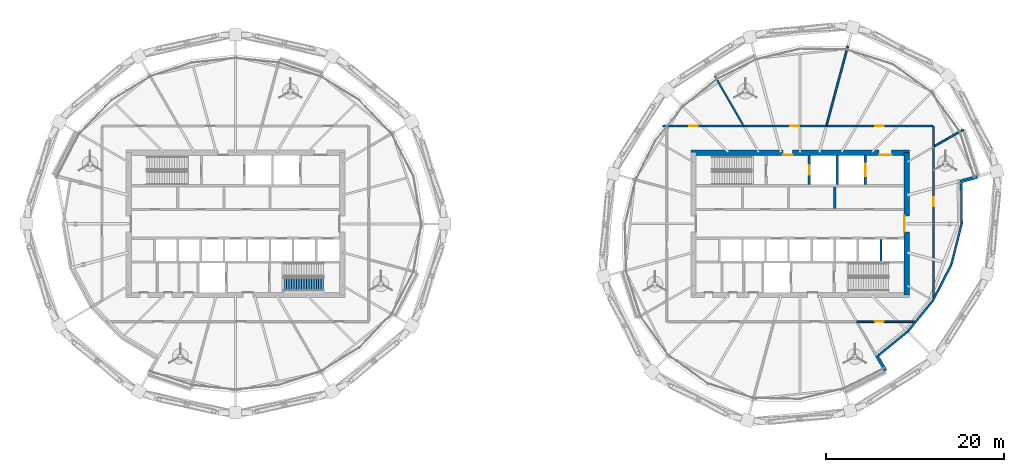
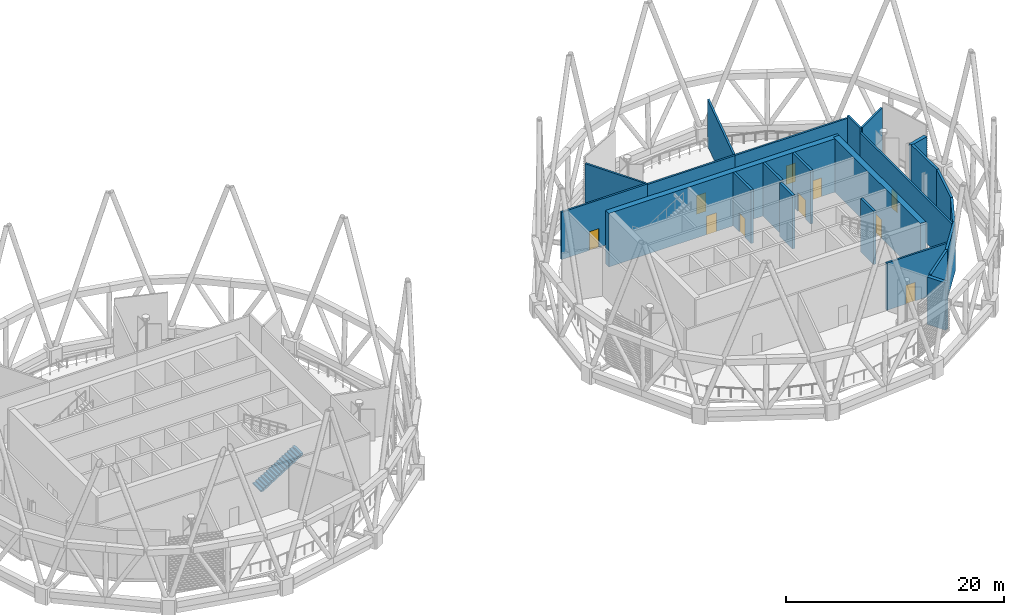
# One storey, part 13 of 22: 23 walls, 10 doors, 1 stair flight, 10 openings, 1 element without a shape of its own.
"""IFC4 building model written with IfcOpenShell, lengths in metres."""

from ifc_helpers import new_model, si_unit, direction, frame, frame_2d, origin, place, context, subcontext, project, spatial, polyline, rectangle, outline, extrude, material, layer, layer_set, type_object, element, fill, aggregate, save


model = new_model("IFC4")

# Units and contexts
model_context = context("Model", 3, precision=1e-05, world=origin(), true_north=direction((0.0, 1.0)))
body_context = subcontext(model_context, "Body", "Model", "MODEL_VIEW")
ifc_project = project(units=[si_unit("LENGTHUNIT", "METRE"), si_unit("AREAUNIT", "SQUARE_METRE"), si_unit("VOLUMEUNIT", "CUBIC_METRE"), si_unit("PLANEANGLEUNIT", "RADIAN"), si_unit("MASSUNIT", "GRAM", prefix="KILO")], contexts=[model_context])

# Site, building, storey
site_placement = place(None, origin())
site = spatial("IfcSite", under=ifc_project, at=site_placement, CompositionType="ELEMENT")
building_placement = place(site_placement, origin())
building = spatial("IfcBuilding", under=site, at=building_placement, Name="Rimbun Link Towers", CompositionType="ELEMENT")
storey_placement = place(building_placement, frame((0.0, 0.0, 204.5)))
storey = spatial("IfcBuildingStorey", under=building, at=storey_placement, Name="L50", CompositionType="ELEMENT", Elevation=204.5)

# Walls
ifc_material_1 = material(Name="Dark enamelled glass spandrel on insulated aluminium backpan", Category="aluminium")
ifc_layer_1 = layer(ifc_material_1, 0.25)
ifc_layer_set_1 = layer_set([ifc_layer_1], Name="CS dark enamelled spandrel wall 250")
wall_type_1 = type_object("IfcWallType", Name="CS dark enamelled spandrel wall 250", PredefinedType="STANDARD", material=ifc_layer_set_1)
wall_1_placement = place(storey_placement, frame((43.8544921875, -12.1044921875, 0.0), z_axis=(0.0, 0.0, 1.0), x_axis=(-0.775360445099, -0.631518946807, 0.0)))
element("IfcWall", 1, at=wall_1_placement, inside=storey, type_object=wall_type_1, Name="Crease spandrel wall", PredefinedType="STANDARD", context=body_context, shape_type="SweptSolid", body=[
    extrude(rectangle(XDim=4.234619140625, YDim=0.25, at=frame_2d((2.1171875, 0.0))), origin(), (0.0, 0.0, 1.0), 5.443603515625),
])
wall_2_placement = place(storey_placement, frame((46.684326171875, -8.630126953125, 0.0), z_axis=(0.0, 0.0, 1.0), x_axis=(-0.631521345751, -0.77535849119, 0.0)))
element("IfcWall", 2, at=wall_2_placement, inside=storey, type_object=wall_type_1, Name="Crease spandrel wall", PredefinedType="STANDARD", context=body_context, shape_type="SweptSolid", body=[
    extrude(rectangle(XDim=4.48095703125, YDim=0.25, at=frame_2d((2.240478515625, 0.0))), origin(), (0.0, 0.0, 1.0), 5.443603515625),
])
wall_3_placement = place(storey_placement, frame((48.764892578125, -4.572021484375, 0.0), z_axis=(0.0, 0.0, 1.0), x_axis=(-0.456227522051, -0.889863162583, 0.0)))
element("IfcWall", 3, at=wall_3_placement, inside=storey, type_object=wall_type_1, Name="Crease spandrel wall", PredefinedType="STANDARD", context=body_context, shape_type="SweptSolid", body=[
    extrude(rectangle(XDim=4.560302734375, YDim=0.25, at=frame_2d((2.2802734375, 0.0))), origin(), (0.0, 0.0, 1.0), 5.00927734375),
])
wall_4_placement = place(storey_placement, frame((49.910888671875, -0.014892578125, 0.0), z_axis=(0.0, 0.0, 1.0), x_axis=(-0.243880128204, -0.96980538412, 0.0)))
element("IfcWall", 4, at=wall_4_placement, inside=storey, type_object=wall_type_1, Name="Crease spandrel wall", PredefinedType="STANDARD", context=body_context, shape_type="SweptSolid", body=[
    extrude(rectangle(XDim=4.698974609375, YDim=0.25, at=frame_2d((2.349609375, 0.0))), origin(), (0.0, 0.0, 1.0), 5.00927734375),
])
wall_5_placement = place(storey_placement, frame((49.868408203125, 4.595947265625, 0.0), z_axis=(0.0, 0.0, 1.0), x_axis=(0.009212782785, -0.999957561416, 0.0)))
element("IfcWall", 5, at=wall_5_placement, inside=storey, type_object=wall_type_1, Name="Crease spandrel wall", PredefinedType="STANDARD", context=body_context, shape_type="SweptSolid", body=[
    extrude(rectangle(XDim=4.611083984375, YDim=0.25, at=frame_2d((2.3056640625, 0.0))), origin(), (0.0, 0.0, 1.0), 5.00927734375),
])
ifc_material_2 = material(Name="Dark enamelled glass spandrel on insulated aluminium backpan", Category="aluminium")
ifc_layer_2 = layer(ifc_material_2, 0.3701171875)
ifc_layer_set_2 = layer_set([ifc_layer_2], Name="CS dark enamelled spandrel wall 370")
wall_type_2 = type_object("IfcWallType", Name="CS dark enamelled spandrel wall 370", PredefinedType="STANDARD", material=ifc_layer_set_2)
wall_6_placement = place(storey_placement, frame((40.36767578125, -14.79638671875, 0.0), z_axis=(0.0, 0.0, 1.0), x_axis=(0.500063959222, -0.865988473761, 0.0)))
element("IfcWall", 6, at=wall_6_placement, inside=storey, type_object=wall_type_2, Name="Crease spandrel wall", PredefinedType="STANDARD", context=body_context, shape_type="SweptSolid", body=[
    extrude(rectangle(XDim=1.980224609375, YDim=0.3701171875, at=frame_2d((0.990234375, 0.0))), origin(), (0.0, 0.0, 1.0), 5.31689453125),
])
wall_7_placement = place(storey_placement, frame((51.670654296875, 5.2705078125, 0.0), z_axis=(0.0, 0.0, 1.0), x_axis=(-0.965921079275, -0.258836760551, 0.0)))
element("IfcWall", 7, at=wall_7_placement, inside=storey, type_object=wall_type_2, Name="Crease spandrel wall", PredefinedType="STANDARD", context=body_context, shape_type="SweptSolid", body=[
    extrude(rectangle(XDim=1.979736328125, YDim=0.3701171875, at=frame_2d((0.98974609375, 0.0))), origin(), (0.0, 0.0, 1.0), 4.931640625),
])

# Wall, openings, doors
ifc_material_3 = material(Name="Concrete C60/75", Category="concrete")
ifc_layer_3 = layer(ifc_material_3, 0.60009765625)
ifc_layer_set_3 = layer_set([ifc_layer_3], Name="Core shear wall 600")
wall_type_3 = type_object("IfcWallType", Name="Core shear wall 600", PredefinedType="SHEAR", material=ifc_layer_set_3)
wall_8_placement = place(storey_placement, frame((19.449951171875, 8.0, 0.0), z_axis=(0.0, 0.0, 1.0), x_axis=(1.0, 0.0, 0.0)))
wall_8 = element("IfcWall", 8, at=wall_8_placement, inside=storey, type_object=wall_type_3, Name="L50 T2 core wall N", PredefinedType="SHEAR", context=body_context, shape_type="SweptSolid", body=[
    extrude(rectangle(XDim=24.60009765625, YDim=0.60009765625, at=frame_2d((12.300048828125, 0.0))), origin(), (0.0, 0.0, 1.0), 6.0),
])
opening_1_placement = place(wall_8_placement, frame((10.35009765625, 0.0, 0.0)))
opening_1 = element("IfcOpeningElement", 9, at=opening_1_placement, cuts=wall_8, Name="Opening C2DCF01N", PredefinedType="OPENING", context=body_context, shape_type="SweptSolid", body=[
    extrude(rectangle(XDim=1.10009765625, YDim=2.10009765625, at=frame_2d((0.550048828125, 1.050048828125))), frame((0.0, 0.31005859375, 0.0), z_axis=(0.0, -1.0, 0.0), x_axis=(1.0, 0.0, 0.0)), (0.0, 0.0, 1.0), 0.6201171875),
])
opening_2_placement = place(wall_8_placement, frame((21.175048828125, 0.0, 0.0)))
opening_2 = element("IfcOpeningElement", 10, at=opening_2_placement, cuts=wall_8, Name="Opening C2DSL02N", PredefinedType="OPENING", context=body_context, shape_type="SweptSolid", body=[
    extrude(rectangle(XDim=1.39990234375, YDim=2.10009765625, at=frame_2d((0.699951171875, 1.050048828125))), frame((0.0, 0.31005859375, 0.0), z_axis=(0.0, -1.0, 0.0), x_axis=(1.0, 0.0, 0.0)), (0.0, 0.0, 1.0), 0.6201171875),
])
ifc_material_4 = material(Name="Steel fire door set", Category="steel")
door_type_1 = type_object("IfcDoorType", Name="Core fire door single", OperationType="SINGLE_SWING_LEFT", PredefinedType="DOOR", material=ifc_material_4)
door_1_placement = place(opening_1_placement, origin())
door_1 = element("IfcDoor", 11, at=door_1_placement, inside=storey, type_object=door_type_1, Name="L50 T2 firefighting lobby n door", OperationType="SINGLE_SWING_RIGHT", OverallHeight=2.10009765625, OverallWidth=1.10009765625, PredefinedType="DOOR", context=body_context, shape_type="SweptSolid", body=[
    extrude(rectangle(XDim=1.10009765625, YDim=2.10009765625, at=frame_2d((0.550048828125, 1.050048828125))), frame((0.0, -0.25, 0.0), z_axis=(0.0, -1.0, 0.0), x_axis=(1.0, 0.0, 0.0)), (0.0, 0.0, 1.0), 0.050048828125),
])
fill(opening_1, door_1)
ifc_material_5 = material(Name="Steel fire door set", Category="steel")
door_type_2 = type_object("IfcDoorType", Name="Service lobby door double", OperationType="DOUBLE_DOOR_SINGLE_SWING", PredefinedType="DOOR", material=ifc_material_5)
door_2_placement = place(opening_2_placement, origin())
door_2 = element("IfcDoor", 12, at=door_2_placement, inside=storey, type_object=door_type_2, Name="L50 T2 service lobby door", OperationType="DOUBLE_DOOR_SINGLE_SWING", OverallHeight=2.10009765625, OverallWidth=1.39990234375, PredefinedType="DOOR", context=body_context, shape_type="SweptSolid", body=[
    extrude(rectangle(XDim=1.39990234375, YDim=2.10009765625, at=frame_2d((0.699951171875, 1.050048828125))), frame((0.0, -0.25, 0.0), z_axis=(0.0, -1.0, 0.0), x_axis=(1.0, 0.0, 0.0)), (0.0, 0.0, 1.0), 0.050048828125),
])
fill(opening_2, door_2)

# Wall, opening, door
wall_9_placement = place(storey_placement, frame((43.75, -8.0, 0.0), z_axis=(0.0, 0.0, 1.0), x_axis=(0.0, 1.0, 0.0)))
wall_9 = element("IfcWall", 13, at=wall_9_placement, inside=storey, type_object=wall_type_3, Name="L50 T2 core wall E", PredefinedType="SHEAR", context=body_context, shape_type="SweptSolid", body=[
    extrude(rectangle(XDim=16.0, YDim=0.60009765625, at=frame_2d((8.0, 0.0))), origin(), (0.0, 0.0, 1.0), 6.0),
])
opening_3_placement = place(wall_9_placement, frame((7.10009765625, 0.0, 0.0)))
opening_3 = element("IfcOpeningElement", 14, at=opening_3_placement, cuts=wall_9, Name="Opening C2DCL01E", PredefinedType="OPENING", context=body_context, shape_type="SweptSolid", body=[
    extrude(rectangle(XDim=1.800048828125, YDim=2.10009765625, at=frame_2d((0.89990234375, 1.050048828125))), frame((0.0, 0.31005859375, 0.0), z_axis=(0.0, -1.0, 0.0), x_axis=(1.0, 0.0, 0.0)), (0.0, 0.0, 1.0), 0.6201171875),
])
ifc_material_6 = material(Name="Steel fire door set", Category="steel")
door_type_3 = type_object("IfcDoorType", Name="Core lobby door double", OperationType="DOUBLE_DOOR_SINGLE_SWING", PredefinedType="DOOR", material=ifc_material_6)
door_3_placement = place(opening_3_placement, origin())
door_3 = element("IfcDoor", 15, at=door_3_placement, inside=storey, type_object=door_type_3, Name="L50 T2 lift lobby door", OperationType="DOUBLE_DOOR_SINGLE_SWING", OverallHeight=2.10009765625, OverallWidth=1.800048828125, PredefinedType="DOOR", context=body_context, shape_type="SweptSolid", body=[
    extrude(rectangle(XDim=1.800048828125, YDim=2.10009765625, at=frame_2d((0.89990234375, 1.050048828125))), frame((0.0, 0.2998046875, 0.0), z_axis=(0.0, -1.0, 0.0), x_axis=(1.0, 0.0, 0.0)), (0.0, 0.0, 1.0), 0.050048828125),
])
fill(opening_3, door_3)

ifc_material_7 = material(Name="Concrete blockwork", Category="masonry")
ifc_layer_4 = layer(ifc_material_7, 0.199951171875)
ifc_layer_set_4 = layer_set([ifc_layer_4], Name="Fire partition 200 blockwork")
wall_type_4 = type_object("IfcWallType", Name="Fire partition 200 blockwork", PredefinedType="PARTITIONING", material=ifc_layer_set_4)
wall_10_placement = place(storey_placement, frame((38.100830078125, -11.0, 0.0), z_axis=(0.0, 0.0, 1.0), x_axis=(1.0, 0.0, 0.0)))
wall_10 = element("IfcWall", 16, at=wall_10_placement, inside=storey, type_object=wall_type_4, Name="TW/PW/L50/023", PredefinedType="PARTITIONING", context=body_context, shape_type="SweptSolid", body=[
    extrude(rectangle(XDim=6.4921875, YDim=0.199951171875, at=frame_2d((3.24609375, 0.0))), origin(), (0.0, 0.0, 1.0), 5.306884765625),
])
opening_4_placement = place(wall_10_placement, frame((2.056884765625, 0.0, 0.0)))
opening_4 = element("IfcOpeningElement", 17, at=opening_4_placement, cuts=wall_10, Name="Opening TW D50.11", PredefinedType="OPENING", context=body_context, shape_type="SweptSolid", body=[
    extrude(rectangle(XDim=1.0, YDim=2.10009765625, at=frame_2d((0.5, 1.050048828125))), frame((0.0, 0.10986328125, 0.0), z_axis=(0.0, -1.0, 0.0), x_axis=(1.0, 0.0, 0.0)), (0.0, 0.0, 1.0), 0.219970703125),
])
ifc_material_8 = material(Name="Steel fire door set", Category="steel")
door_type_4 = type_object("IfcDoorType", Name="Fire door single leaf 1000 x 2100", OperationType="NOTDEFINED", PredefinedType="DOOR", material=ifc_material_8)
door_4_placement = place(opening_4_placement, origin())
door_4 = element("IfcDoor", 18, at=door_4_placement, inside=storey, type_object=door_type_4, Name="TW/DR/L50/011", OperationType="SINGLE_SWING_RIGHT", OverallHeight=2.10009765625, OverallWidth=1.0, PredefinedType="DOOR", context=body_context, shape_type="SweptSolid", body=[
    extrude(rectangle(XDim=1.0, YDim=2.10009765625, at=frame_2d((0.5, 1.050048828125))), frame((0.0, 0.02490234375, 0.0), z_axis=(0.0, -1.0, 0.0), x_axis=(1.0, 0.0, 0.0)), (0.0, 0.0, 1.0), 0.050048828125),
])
fill(opening_4, door_4)

wall_11_placement = place(storey_placement, frame((46.75, -8.22802734375, 0.0), z_axis=(0.0, 0.0, 1.0), x_axis=(0.0, 1.0, 0.0)))
wall_11 = element("IfcWall", 19, at=wall_11_placement, inside=storey, type_object=wall_type_4, Name="TW/PW/L50/024", PredefinedType="PARTITIONING", context=body_context, shape_type="SweptSolid", body=[
    extrude(rectangle(XDim=16.888427734375, YDim=0.199951171875, at=frame_2d((8.4443359375, 0.0))), origin(), (0.0, 0.0, 1.0), 4.9990234375),
])
opening_5_placement = place(wall_11_placement, frame((10.19189453125, 0.0, 0.0)))
opening_5 = element("IfcOpeningElement", 20, at=opening_5_placement, cuts=wall_11, Name="Opening TW D50.12", PredefinedType="OPENING", context=body_context, shape_type="SweptSolid", body=[
    extrude(rectangle(XDim=1.0, YDim=2.10009765625, at=frame_2d((0.5, 1.050048828125))), frame((0.0, 0.10986328125, 0.0), z_axis=(0.0, -1.0, 0.0), x_axis=(1.0, 0.0, 0.0)), (0.0, 0.0, 1.0), 0.219970703125),
])
door_5_placement = place(opening_5_placement, origin())
door_5 = element("IfcDoor", 21, at=door_5_placement, inside=storey, type_object=door_type_4, Name="TW/DR/L50/012", OperationType="SINGLE_SWING_LEFT", OverallHeight=2.10009765625, OverallWidth=1.0, PredefinedType="DOOR", context=body_context, shape_type="SweptSolid", body=[
    extrude(rectangle(XDim=1.0, YDim=2.10009765625, at=frame_2d((0.5, 1.050048828125))), frame((0.0, 0.02490234375, 0.0), z_axis=(0.0, -1.0, 0.0), x_axis=(1.0, 0.0, 0.0)), (0.0, 0.0, 1.0), 0.050048828125),
])
fill(opening_5, door_5)

# Wall
wall_12_placement = place(storey_placement, frame((46.75, 8.660400390625, 0.0), z_axis=(0.0, 0.0, 1.0), x_axis=(0.0, 1.0, 0.0)))
element("IfcWall", 22, at=wall_12_placement, inside=storey, type_object=wall_type_4, Name="TW/PW/L50/025", PredefinedType="PARTITIONING", context=body_context, shape_type="SweptSolid", body=[
    extrude(rectangle(XDim=2.339599609375, YDim=0.199951171875, at=frame_2d((1.169921875, 0.0))), origin(), (0.0, 0.0, 1.0), 5.485107421875),
])

# Wall, opening, door
wall_13_placement = place(storey_placement, frame((46.64990234375, 11.0, 0.0), z_axis=(0.0, 0.0, 1.0), x_axis=(-1.0, 0.0, 0.0)))
wall_13 = element("IfcWall", 23, at=wall_13_placement, inside=storey, type_object=wall_type_4, Name="TW/PW/L50/026", PredefinedType="PARTITIONING", context=body_context, shape_type="SweptSolid", body=[
    extrude(rectangle(XDim=11.952392578125, YDim=0.199951171875, at=frame_2d((5.97607421875, 0.0))), origin(), (0.0, 0.0, 1.0), 5.237060546875),
])
opening_6_placement = place(wall_13_placement, frame((5.47607421875, 0.0, 0.0)))
opening_6 = element("IfcOpeningElement", 24, at=opening_6_placement, cuts=wall_13, Name="Opening TW D50.13", PredefinedType="OPENING", context=body_context, shape_type="SweptSolid", body=[
    extrude(rectangle(XDim=1.0, YDim=2.10009765625, at=frame_2d((0.5, 1.050048828125))), frame((0.0, 0.10986328125, 0.0), z_axis=(0.0, -1.0, 0.0), x_axis=(1.0, 0.0, 0.0)), (0.0, 0.0, 1.0), 0.219970703125),
])
door_6_placement = place(opening_6_placement, origin())
door_6 = element("IfcDoor", 25, at=door_6_placement, inside=storey, type_object=door_type_4, Name="TW/DR/L50/013", OperationType="SINGLE_SWING_RIGHT", OverallHeight=2.10009765625, OverallWidth=1.0, PredefinedType="DOOR", context=body_context, shape_type="SweptSolid", body=[
    extrude(rectangle(XDim=1.0, YDim=2.10009765625, at=frame_2d((0.5, 1.050048828125))), frame((0.0, 0.02490234375, 0.0), z_axis=(0.0, -1.0, 0.0), x_axis=(1.0, 0.0, 0.0)), (0.0, 0.0, 1.0), 0.050048828125),
])
fill(opening_6, door_6)

wall_14_placement = place(storey_placement, frame((34.697509765625, 11.0, 0.0), z_axis=(0.0, 0.0, 1.0), x_axis=(-1.0, 0.0, 0.0)))
wall_14 = element("IfcWall", 26, at=wall_14_placement, inside=storey, type_object=wall_type_4, Name="TW/PW/L50/027", PredefinedType="PARTITIONING", context=body_context, shape_type="SweptSolid", body=[
    extrude(rectangle(XDim=9.29833984375, YDim=0.199951171875, at=frame_2d((4.649169921875, 0.0))), origin(), (0.0, 0.0, 1.0), 5.237060546875),
])
opening_7_placement = place(wall_14_placement, frame((3.0390625, 0.0, 0.0)))
opening_7 = element("IfcOpeningElement", 27, at=opening_7_placement, cuts=wall_14, Name="Opening TW D50.14", PredefinedType="OPENING", context=body_context, shape_type="SweptSolid", body=[
    extrude(rectangle(XDim=1.0, YDim=2.10009765625, at=frame_2d((0.5, 1.050048828125))), frame((0.0, 0.10986328125, 0.0), z_axis=(0.0, -1.0, 0.0), x_axis=(1.0, 0.0, 0.0)), (0.0, 0.0, 1.0), 0.219970703125),
])
door_7_placement = place(opening_7_placement, origin())
door_7 = element("IfcDoor", 28, at=door_7_placement, inside=storey, type_object=door_type_4, Name="TW/DR/L50/014", OperationType="SINGLE_SWING_LEFT", OverallHeight=2.10009765625, OverallWidth=1.0, PredefinedType="DOOR", context=body_context, shape_type="SweptSolid", body=[
    extrude(rectangle(XDim=1.0, YDim=2.10009765625, at=frame_2d((0.5, 1.050048828125))), frame((0.0, 0.02490234375, 0.0), z_axis=(0.0, -1.0, 0.0), x_axis=(1.0, 0.0, 0.0)), (0.0, 0.0, 1.0), 0.050048828125),
])
fill(opening_7, door_7)

wall_15_placement = place(storey_placement, frame((25.399169921875, 11.0, 0.0), z_axis=(0.0, 0.0, 1.0), x_axis=(-1.0, 0.0, 0.0)))
wall_15 = element("IfcWall", 29, at=wall_15_placement, inside=storey, type_object=wall_type_4, Name="TW/PW/L50/028", PredefinedType="PARTITIONING", context=body_context, shape_type="SweptSolid", body=[
    extrude(rectangle(XDim=9.1259765625, YDim=0.199951171875, at=frame_2d((4.56298828125, 0.0))), origin(), (0.0, 0.0, 1.0), 5.306884765625),
])
opening_8_placement = place(wall_15_placement, frame((5.14697265625, 0.0, 0.0)))
opening_8 = element("IfcOpeningElement", 30, at=opening_8_placement, cuts=wall_15, Name="Opening TW D50.15", PredefinedType="OPENING", context=body_context, shape_type="SweptSolid", body=[
    extrude(rectangle(XDim=1.0, YDim=2.10009765625, at=frame_2d((0.5, 1.050048828125))), frame((0.0, 0.10986328125, 0.0), z_axis=(0.0, -1.0, 0.0), x_axis=(1.0, 0.0, 0.0)), (0.0, 0.0, 1.0), 0.219970703125),
])
door_8_placement = place(opening_8_placement, origin())
door_8 = element("IfcDoor", 31, at=door_8_placement, inside=storey, type_object=door_type_4, Name="TW/DR/L50/015", OperationType="SINGLE_SWING_RIGHT", OverallHeight=2.10009765625, OverallWidth=1.0, PredefinedType="DOOR", context=body_context, shape_type="SweptSolid", body=[
    extrude(rectangle(XDim=1.0, YDim=2.10009765625, at=frame_2d((0.5, 1.050048828125))), frame((0.0, 0.02490234375, 0.0), z_axis=(0.0, -1.0, 0.0), x_axis=(1.0, 0.0, 0.0)), (0.0, 0.0, 1.0), 0.050048828125),
])
fill(opening_8, door_8)

# Walls
wall_16_placement = place(storey_placement, frame((50.086181640625, 10.58642578125, 0.0), z_axis=(0.0, 0.0, 1.0), x_axis=(-0.866025356753, -0.50000008146, 0.0)))
element("IfcWall", 32, at=wall_16_placement, inside=storey, type_object=wall_type_4, Name="TW/PW/L50/034", PredefinedType="PARTITIONING", context=body_context, shape_type="SweptSolid", body=[
    extrude(rectangle(XDim=3.67919921875, YDim=0.199951171875, at=frame_2d((1.839599609375, 0.0))), origin(), (0.0, 0.0, 1.0), 5.43408203125),
])
wall_17_placement = place(storey_placement, frame((37.109130859375, 20.00048828125, 0.0), z_axis=(0.0, 0.0, 1.0), x_axis=(-0.258820206775, -0.965925515019, 0.0)))
element("IfcWall", 33, at=wall_17_placement, inside=storey, type_object=wall_type_4, Name="TW/PW/L50/035", PredefinedType="PARTITIONING", context=body_context, shape_type="SweptSolid", body=[
    extrude(rectangle(XDim=9.1875, YDim=0.199951171875, at=frame_2d((4.59375, 0.0))), origin(), (0.0, 0.0, 1.0), 5.237060546875),
])
wall_18_placement = place(storey_placement, frame((22.1484375, 16.63037109375, 0.0), z_axis=(0.0, 0.0, 1.0), x_axis=(0.499989616998, -0.866031398331, 0.0)))
element("IfcWall", 34, at=wall_18_placement, inside=storey, type_object=wall_type_4, Name="TW/PW/L50/036", PredefinedType="PARTITIONING", context=body_context, shape_type="SweptSolid", body=[
    extrude(rectangle(XDim=6.328369140625, YDim=0.199951171875, at=frame_2d((3.1640625, 0.0))), origin(), (0.0, 0.0, 1.0), 5.306884765625),
])
ifc_material_9 = material(Name="Concrete C60/75", Category="concrete")
ifc_layer_5 = layer(ifc_material_9, 0.25)
ifc_layer_set_5 = layer_set([ifc_layer_5], Name="Shaft wall 250")
wall_type_5 = type_object("IfcWallType", Name="Shaft wall 250", PredefinedType="SHEAR", material=ifc_layer_set_5)
for number, where, z_axis, x_axis, name in (
    (35, (35.6416015625, 1.75, 0.0), (0.0, 0.0, 1.0), (0.0, 1.0, 0.0), "L50 T2 core wall DN5"),
    (36, (40.83056640625, -4.14990234375, 0.0), (0.0, 0.0, 1.0), (0.0, 1.0, 0.0), "L50 T2 core wall DS7"),
):
    element("IfcWall", number, at=place(storey_placement, frame(where, z_axis=z_axis, x_axis=x_axis)), inside=storey, type_object=wall_type_5, Name=name, PredefinedType="SHEAR", context=body_context, shape_type="SweptSolid", body=[
        extrude(rectangle(XDim=2.39990234375, YDim=0.25, at=frame_2d((1.199951171875, 0.0))), origin(), (0.0, 0.0, 1.0), 6.0),
    ])

# Wall, opening, door
wall_19_placement = place(storey_placement, frame((32.77490234375, 4.39990234375, 0.0), z_axis=(0.0, 0.0, 1.0), x_axis=(0.0, 1.0, 0.0)))
wall_19 = element("IfcWall", 37, at=wall_19_placement, inside=storey, type_object=wall_type_5, Name="L50 T2 core wall A2", PredefinedType="SHEAR", context=body_context, shape_type="SweptSolid", body=[
    extrude(rectangle(XDim=3.300048828125, YDim=0.25, at=frame_2d((1.64990234375, 0.0))), origin(), (0.0, 0.0, 1.0), 6.0),
])
opening_9_placement = place(wall_19_placement, frame((1.10009765625, 0.0, 0.0)))
opening_9 = element("IfcOpeningElement", 38, at=opening_9_placement, cuts=wall_19, Name="Opening LD-T2-FF1", PredefinedType="OPENING", context=body_context, shape_type="SweptSolid", body=[
    extrude(rectangle(XDim=1.10009765625, YDim=2.10009765625, at=frame_2d((0.550048828125, 1.050048828125))), frame((0.0, 0.135009765625, 0.0), z_axis=(0.0, -1.0, 0.0), x_axis=(1.0, 0.0, 0.0)), (0.0, 0.0, 1.0), 0.27001953125),
])
ifc_material_10 = material(Name="Stainless steel grade 316", Category="steel")
door_type_5 = type_object("IfcDoorType", Name="Lift landing door", OperationType="DOUBLE_DOOR_SLIDING", PredefinedType="DOOR", material=ifc_material_10)
door_9_placement = place(opening_9_placement, origin())
door_9 = element("IfcDoor", 39, at=door_9_placement, inside=storey, type_object=door_type_5, Name="L50 T2 lift FF1 landing door", OperationType="DOUBLE_DOOR_SLIDING", OverallHeight=2.10009765625, OverallWidth=1.10009765625, PredefinedType="DOOR", context=body_context, shape_type="SweptSolid", body=[
    extrude(rectangle(XDim=1.10009765625, YDim=2.10009765625, at=frame_2d((0.550048828125, 1.050048828125))), frame((0.0, 0.02490234375, 0.0), z_axis=(0.0, -1.0, 0.0), x_axis=(1.0, 0.0, 0.0)), (0.0, 0.0, 1.0), 0.050048828125),
])
fill(opening_9, door_9)

# Wall
wall_20_placement = place(storey_placement, frame((35.925048828125, 4.39990234375, 0.0), z_axis=(0.0, 0.0, 1.0), x_axis=(0.0, 1.0, 0.0)))
element("IfcWall", 40, at=wall_20_placement, inside=storey, type_object=wall_type_5, Name="L50 T2 core wall A3", PredefinedType="SHEAR", context=body_context, shape_type="SweptSolid", body=[
    extrude(rectangle(XDim=3.300048828125, YDim=0.25, at=frame_2d((1.64990234375, 0.0))), origin(), (0.0, 0.0, 1.0), 6.0),
])

# Wall, opening, door
wall_21_placement = place(storey_placement, frame((39.074951171875, 4.39990234375, 0.0), z_axis=(0.0, 0.0, 1.0), x_axis=(0.0, 1.0, 0.0)))
wall_21 = element("IfcWall", 41, at=wall_21_placement, inside=storey, type_object=wall_type_5, Name="L50 T2 core wall A4", PredefinedType="SHEAR", context=body_context, shape_type="SweptSolid", body=[
    extrude(rectangle(XDim=3.300048828125, YDim=0.25, at=frame_2d((1.64990234375, 0.0))), origin(), (0.0, 0.0, 1.0), 6.0),
])
opening_10_placement = place(wall_21_placement, frame((0.949951171875, 0.0, 0.0)))
opening_10 = element("IfcOpeningElement", 42, at=opening_10_placement, cuts=wall_21, Name="Opening LD-T2-GL1", PredefinedType="OPENING", context=body_context, shape_type="SweptSolid", body=[
    extrude(rectangle(XDim=1.39990234375, YDim=2.10009765625, at=frame_2d((0.699951171875, 1.050048828125))), frame((0.0, 0.135009765625, 0.0), z_axis=(0.0, -1.0, 0.0), x_axis=(1.0, 0.0, 0.0)), (0.0, 0.0, 1.0), 0.27001953125),
])
ifc_material_11 = material(Name="Stainless steel grade 316", Category="steel")
door_type_6 = type_object("IfcDoorType", Name="Goods lift landing door", OperationType="DOUBLE_DOOR_SLIDING", PredefinedType="DOOR", material=ifc_material_11)
door_10_placement = place(opening_10_placement, origin())
door_10 = element("IfcDoor", 43, at=door_10_placement, inside=storey, type_object=door_type_6, Name="L50 T2 lift GL1 landing door", OperationType="DOUBLE_DOOR_SLIDING", OverallHeight=2.10009765625, OverallWidth=1.39990234375, PredefinedType="DOOR", context=body_context, shape_type="SweptSolid", body=[
    extrude(rectangle(XDim=1.39990234375, YDim=2.10009765625, at=frame_2d((0.699951171875, 1.050048828125))), frame((0.0, 0.02490234375, 0.0), z_axis=(0.0, -1.0, 0.0), x_axis=(1.0, 0.0, 0.0)), (0.0, 0.0, 1.0), 0.050048828125),
])
fill(opening_10, door_10)

# Stair, stair flight
ifc_material_12 = material(Name="Concrete C40/50", Category="concrete")
stair_type = type_object("IfcStairType", Name="Exit stair 6000 rise", PredefinedType="HALF_TURN_STAIR", material=ifc_material_12)
stair_placement = place(storey_placement, origin())
stair = element("IfcStair", 44, at=stair_placement, inside=storey, type_object=stair_type, Name="L50 EXIT STAIR B", PredefinedType="HALF_TURN_STAIR")
ifc_material_13 = material(Name="Concrete C40/50", Category="concrete")
stair_flight_type = type_object("IfcStairFlightType", Name="Exit stair flight 6000 rise", PredefinedType="STRAIGHT", material=ifc_material_13)
stair_flight_placement = place(storey_placement, frame((-26.300048828125, -6.800048828125, 0.0), z_axis=(0.0, 0.0, 1.0), x_axis=(1.0, 0.0, 0.0)))
stair_flight = element("IfcStairFlight", 45, at=stair_flight_placement, type_object=stair_flight_type, Name="ST2 flight 1", NumberOfRisers=17, NumberOfTreads=16, PredefinedType="STRAIGHT", RiserHeight=0.176470588, TreadLength=0.28, context=body_context, shape_type="SweptSolid", body=[
    extrude(outline(polyline([(0.0, 0.0), (0.0, 0.176513671875), (0.280029296875, 0.176513671875), (0.280029296875, 0.35302734375), (0.56005859375, 0.35302734375), (0.56005859375, 0.529296875), (0.840087890625, 0.529296875), (0.840087890625, 0.705810546875), (1.1201171875, 0.705810546875), (1.1201171875, 0.88232421875), (1.39990234375, 0.88232421875), (1.39990234375, 1.058837890625), (1.679931640625, 1.058837890625), (1.679931640625, 1.2353515625), (1.9599609375, 1.2353515625), (1.9599609375, 1.411865234375), (2.239990234375, 1.411865234375), (2.239990234375, 1.588134765625), (2.52001953125, 1.588134765625), (2.52001953125, 1.7646484375), (2.800048828125, 1.7646484375), (2.800048828125, 1.941162109375), (3.080078125, 1.941162109375), (3.080078125, 2.11767578125), (3.360107421875, 2.11767578125), (3.360107421875, 2.294189453125), (3.639892578125, 2.294189453125), (3.639892578125, 2.470703125), (3.919921875, 2.470703125), (3.919921875, 2.64697265625), (4.199951171875, 2.64697265625), (4.199951171875, 2.823486328125), (4.47998046875, 2.823486328125), (4.47998046875, 3.0), (4.47998046875, 2.646240234375), (0.280029296875, 0.0), (0.0, 0.0)])), frame((0.0, 0.75, 0.0), z_axis=(0.0, -1.0, 0.0), x_axis=(1.0, 0.0, 0.0)), (0.0, 0.0, 1.0), 1.5),
])
aggregate(stair, [stair_flight])

save(model, "model.ifc")
